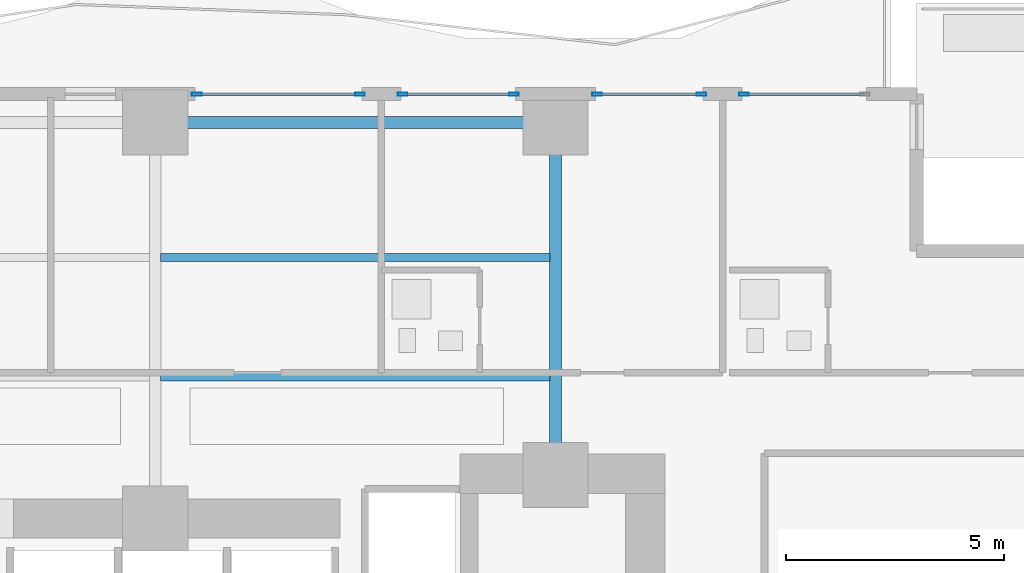
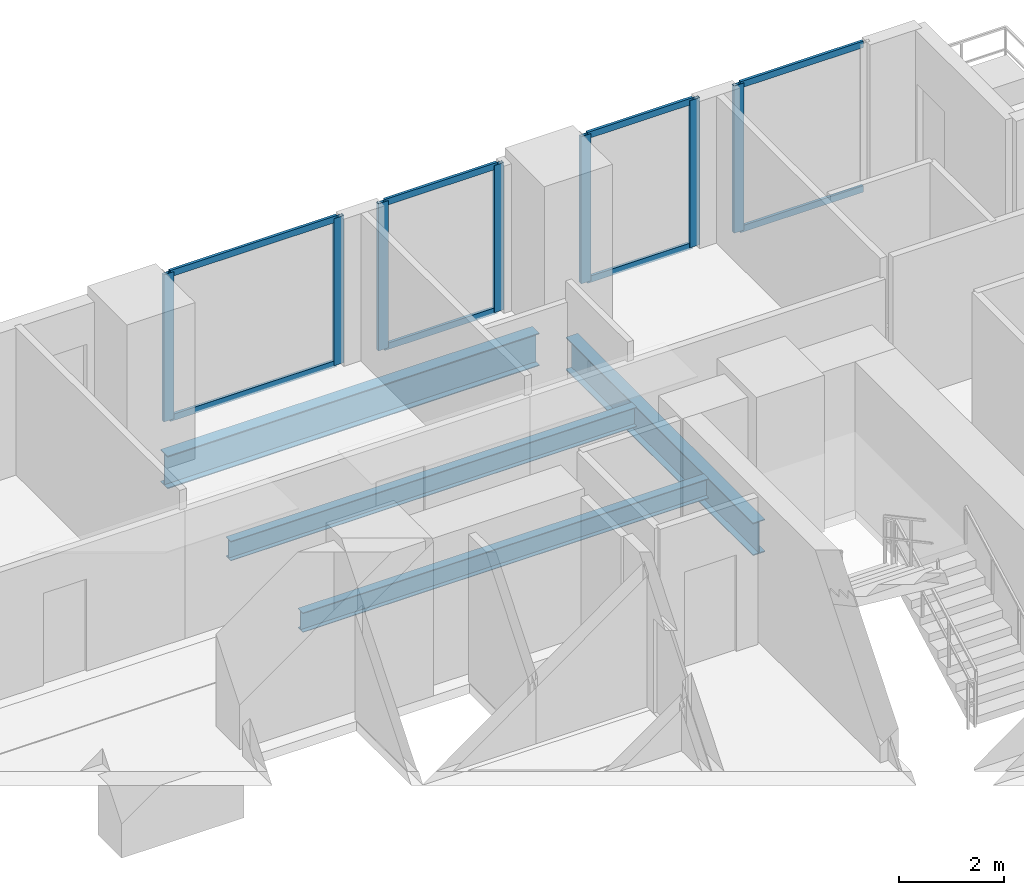
# One storey, part 16 of 28: 15 members, 4 beams, 4 elements without a shape of their own.
"""IFC4 building model written with IfcOpenShell, lengths in metres."""

from ifc_helpers import new_model, si_unit, direction, frame, origin, origin_2d, place, context, subcontext, project, spatial, hollow_rectangle, i_section, extrude, material, layer, layer_set, material_profile, profile_set, type_object, element, aggregate, save


model = new_model("IFC4")

# Units and contexts
model_context = context("Model", 3, precision=1e-05, world=origin(), true_north=direction((0.0, 1.0)))
body_context = subcontext(model_context, "Body", "Model", "MODEL_VIEW")
ifc_project = project(units=[si_unit("LENGTHUNIT", "METRE"), si_unit("AREAUNIT", "SQUARE_METRE"), si_unit("VOLUMEUNIT", "CUBIC_METRE"), si_unit("PLANEANGLEUNIT", "RADIAN"), si_unit("MASSUNIT", "GRAM", prefix="KILO")], contexts=[model_context])

# Site, building, storey
site_placement = place(None, origin())
site = spatial("IfcSite", under=ifc_project, at=site_placement, CompositionType="ELEMENT")
building_placement = place(site_placement, origin())
building = spatial("IfcBuilding", under=site, at=building_placement, Name="Zuhayl Quay Hotel", CompositionType="ELEMENT")
storey_placement = place(building_placement, frame((0.0, 0.0, 56.800048828125)))
storey = spatial("IfcBuildingStorey", under=building, at=storey_placement, Name="L13", CompositionType="ELEMENT", Elevation=56.800048828125)

# Beams
ifc_material_1 = material(Name="Steel ASTM A992 Grade 50", Category="steel")
ifc_material_profile_1 = material_profile(ifc_material_1, i_section(OverallWidth=0.26708984375, OverallDepth=0.761962890625, WebThickness=0.014404296875, FlangeThickness=0.021484375, at=origin_2d()), Name="W30X116")
ifc_profile_set_1 = profile_set([ifc_material_profile_1], Name="Steel ASTM A992 Grade 50")
beam_type_1 = type_object("IfcBeamType", Name="BM_B1_W30X116", PredefinedType="BEAM", material=ifc_profile_set_1)
beam_1_placement = place(storey_placement, frame((13.300048828125, 22.449951171875, -0.60107421875), z_axis=(-1.0, 0.0, 0.0), x_axis=(0.0, -1.0, 0.0)))
element("IfcBeam", 1, at=beam_1_placement, inside=storey, type_object=beam_type_1, Name="L13 Floor Beam RG_L13_07", PredefinedType="BEAM", context=body_context, shape_type="SweptSolid", body=[
    extrude(i_section(OverallWidth=0.26708984375, OverallDepth=0.761962890625, WebThickness=0.014404296875, FlangeThickness=0.021484375, at=origin_2d()), origin(), (0.0, 0.0, 1.0), 8.199951171875),
])
beam_2_placement = place(storey_placement, frame((13.800048828125, 14.800048828125, -0.60107421875), z_axis=(0.0, 1.0, 0.0), x_axis=(-1.0, 0.0, 0.0)))
element("IfcBeam", 2, at=beam_2_placement, inside=storey, type_object=beam_type_1, Name="L13 Floor Beam FG_N_L13_4", PredefinedType="BEAM", context=body_context, shape_type="SweptSolid", body=[
    extrude(i_section(OverallWidth=0.26708984375, OverallDepth=0.761962890625, WebThickness=0.014404296875, FlangeThickness=0.021484375, at=origin_2d()), origin(), (0.0, 0.0, 1.0), 7.14990234375),
])
ifc_material_profile_2 = material_profile(ifc_material_1, i_section(OverallWidth=0.18994140625, OverallDepth=0.45703125, WebThickness=0.009033203125, FlangeThickness=0.014404296875, at=origin_2d()), Name="W18X50")
ifc_profile_set_2 = profile_set([ifc_material_profile_2], Name="Steel ASTM A992 Grade 50")
beam_type_2 = type_object("IfcBeamType", Name="BM_J2_W18X50", PredefinedType="JOIST", material=ifc_profile_set_2)
for number, where, z_axis, x_axis, name in (
    (3, (4.7255859375, 16.60009765625, -0.448486328125), (1.0, 0.0, 0.0), (0.0, 1.0, 0.0), "L13 Floor Beam FJ_L13_1_3"),
    (4, (4.7255859375, 19.35009765625, -0.448486328125), (1.0, 0.0, 0.0), (0.0, 1.0, 0.0), "L13 Floor Beam FJ_L13_2_3"),
):
    element("IfcBeam", number, at=place(storey_placement, frame(where, z_axis=z_axis, x_axis=x_axis)), inside=storey, type_object=beam_type_2, Name=name, PredefinedType="JOIST", context=body_context, shape_type="SweptSolid", body=[
        extrude(i_section(OverallWidth=0.18994140625, OverallDepth=0.45703125, WebThickness=0.009033203125, FlangeThickness=0.014404296875, at=origin_2d()), origin(), (0.0, 0.0, 1.0), 8.948974609375),
    ])

# Curtain wall, members
ifc_material_2 = material(Name="Anodised Aluminium 6063-T6", Category="aluminium")
ifc_layer = layer(ifc_material_2, 0.18994140625, Name="Anodised Aluminium 6063-T6", Category="aluminium")
ifc_layer_set = layer_set([ifc_layer], Name="Anodised Aluminium 6063-T6")
curtain_wall_type = type_object("IfcCurtainWallType", Name="CW_SYS_Z1", PredefinedType="USERDEFINED", material=ifc_layer_set)
curtain_wall_1_placement = place(storey_placement, origin())
curtain_wall_1 = element("IfcCurtainWall", 5, at=curtain_wall_1_placement, inside=storey, type_object=curtain_wall_type, Name="L13 Curtain Wall ENV_L13_N_CW3", ObjectType="UNITISED CURTAIN WALL", PredefinedType="USERDEFINED")
ifc_material_3 = material(Name="Black-anodised aluminium 6063-T6", Category="aluminium")
ifc_material_profile_3 = material_profile(ifc_material_3, hollow_rectangle(XDim=0.074951171875, YDim=0.219970703125, WallThickness=0.00390625, at=origin_2d()), Name="ALU220X75")
ifc_profile_set_3 = profile_set([ifc_material_profile_3], Name="Black-anodised aluminium 6063-T6")
member_type_1 = type_object("IfcMemberType", Name="MB_CW_MUL_220", PredefinedType="MULLION", material=ifc_profile_set_3)
member_1_placement = place(storey_placement, frame((5.5576171875, 23.10009765625, 0.0), z_axis=(0.0, 0.0, 1.0), x_axis=(0.0, 1.0, 0.0)))
member_1 = element("IfcMember", 6, at=member_1_placement, type_object=member_type_1, Name="CW-Z1 mullion 1", PredefinedType="MULLION", context=body_context, shape_type="SweptSolid", body=[
    extrude(hollow_rectangle(XDim=0.074951171875, YDim=0.219970703125, WallThickness=0.00390625, at=origin_2d()), origin(), (0.0, 0.0, 1.0), 3.429931640625),
])
member_2_placement = place(storey_placement, frame((9.3125, 23.10009765625, 0.0), z_axis=(0.0, 0.0, 1.0), x_axis=(0.0, 1.0, 0.0)))
member_2 = element("IfcMember", 7, at=member_2_placement, type_object=member_type_1, Name="CW-Z1 mullion 2", PredefinedType="MULLION", context=body_context, shape_type="SweptSolid", body=[
    extrude(hollow_rectangle(XDim=0.074951171875, YDim=0.219970703125, WallThickness=0.00390625, at=origin_2d()), origin(), (0.0, 0.0, 1.0), 3.429931640625),
])

curtain_wall_2_placement = place(storey_placement, origin())
curtain_wall_2 = element("IfcCurtainWall", 8, at=curtain_wall_2_placement, inside=storey, type_object=curtain_wall_type, Name="L13 Curtain Wall ENV_L13_N_CW4", ObjectType="UNITISED CURTAIN WALL", PredefinedType="USERDEFINED")
member_3_placement = place(storey_placement, frame((10.28759765625, 23.10009765625, 0.0), z_axis=(0.0, 0.0, 1.0), x_axis=(0.0, 1.0, 0.0)))
member_3 = element("IfcMember", 9, at=member_3_placement, type_object=member_type_1, Name="CW-Z1 mullion 1", PredefinedType="MULLION", context=body_context, shape_type="SweptSolid", body=[
    extrude(hollow_rectangle(XDim=0.074951171875, YDim=0.219970703125, WallThickness=0.00390625, at=origin_2d()), origin(), (0.0, 0.0, 1.0), 3.429931640625),
])
member_4_placement = place(storey_placement, frame((12.842529296875, 23.10009765625, 0.0), z_axis=(0.0, 0.0, 1.0), x_axis=(0.0, 1.0, 0.0)))
member_4 = element("IfcMember", 10, at=member_4_placement, type_object=member_type_1, Name="CW-Z1 mullion 2", PredefinedType="MULLION", context=body_context, shape_type="SweptSolid", body=[
    extrude(hollow_rectangle(XDim=0.074951171875, YDim=0.219970703125, WallThickness=0.00390625, at=origin_2d()), origin(), (0.0, 0.0, 1.0), 3.429931640625),
])

curtain_wall_3_placement = place(storey_placement, origin())
curtain_wall_3 = element("IfcCurtainWall", 11, at=curtain_wall_3_placement, inside=storey, type_object=curtain_wall_type, Name="L13 Curtain Wall ENV_L13_N_CW5", ObjectType="UNITISED CURTAIN WALL", PredefinedType="USERDEFINED")
member_5_placement = place(storey_placement, frame((14.757568359375, 23.10009765625, 0.0), z_axis=(0.0, 0.0, 1.0), x_axis=(0.0, 1.0, 0.0)))
member_5 = element("IfcMember", 12, at=member_5_placement, type_object=member_type_1, Name="CW-Z1 mullion 1", PredefinedType="MULLION", context=body_context, shape_type="SweptSolid", body=[
    extrude(hollow_rectangle(XDim=0.074951171875, YDim=0.219970703125, WallThickness=0.00390625, at=origin_2d()), origin(), (0.0, 0.0, 1.0), 3.429931640625),
])
member_6_placement = place(storey_placement, frame((17.152587890625, 23.10009765625, 0.0), z_axis=(0.0, 0.0, 1.0), x_axis=(0.0, 1.0, 0.0)))
member_6 = element("IfcMember", 13, at=member_6_placement, type_object=member_type_1, Name="CW-Z1 mullion 2", PredefinedType="MULLION", context=body_context, shape_type="SweptSolid", body=[
    extrude(hollow_rectangle(XDim=0.074951171875, YDim=0.219970703125, WallThickness=0.00390625, at=origin_2d()), origin(), (0.0, 0.0, 1.0), 3.429931640625),
])

# Curtain wall, member
curtain_wall_4_placement = place(storey_placement, origin())
curtain_wall_4 = element("IfcCurtainWall", 14, at=curtain_wall_4_placement, inside=storey, type_object=curtain_wall_type, Name="L13 Curtain Wall ENV_L13_N_CW6", ObjectType="UNITISED CURTAIN WALL", PredefinedType="USERDEFINED")
member_7_placement = place(storey_placement, frame((18.12744140625, 23.10009765625, 0.0), z_axis=(0.0, 0.0, 1.0), x_axis=(0.0, 1.0, 0.0)))
member_7 = element("IfcMember", 15, at=member_7_placement, type_object=member_type_1, Name="CW-Z1 mullion 1", PredefinedType="MULLION", context=body_context, shape_type="SweptSolid", body=[
    extrude(hollow_rectangle(XDim=0.074951171875, YDim=0.219970703125, WallThickness=0.00390625, at=origin_2d()), origin(), (0.0, 0.0, 1.0), 3.429931640625),
])

# Member
ifc_material_profile_4 = material_profile(ifc_material_3, hollow_rectangle(XDim=0.06005859375, YDim=0.14990234375, WallThickness=0.00341796875, at=origin_2d()), Name="ALU150X60")
ifc_profile_set_4 = profile_set([ifc_material_profile_4], Name="Black-anodised aluminium 6063-T6")
member_type_2 = type_object("IfcMemberType", Name="MB_CW_TRN_150", PredefinedType="USERDEFINED", material=ifc_profile_set_4)
member_8_placement = place(storey_placement, frame((5.594970703125, 23.10009765625, 0.030029296875), z_axis=(1.0, 0.0, 0.0), x_axis=(0.0, 1.0, 0.0)))
member_8 = element("IfcMember", 16, at=member_8_placement, type_object=member_type_2, Name="CW-Z1 transom 1.1", ObjectType="TRANSOM", PredefinedType="USERDEFINED", context=body_context, shape_type="SweptSolid", body=[
    extrude(hollow_rectangle(XDim=0.06005859375, YDim=0.14990234375, WallThickness=0.00341796875, at=origin_2d()), origin(), (0.0, 0.0, 1.0), 3.679931640625),
])

member_9_placement = place(storey_placement, frame((5.594970703125, 23.10009765625, 3.39990234375), z_axis=(1.0, 0.0, 0.0), x_axis=(0.0, 1.0, 0.0)))
member_9 = element("IfcMember", 17, at=member_9_placement, type_object=member_type_2, Name="CW-Z1 transom 1.2", ObjectType="TRANSOM", PredefinedType="USERDEFINED", context=body_context, shape_type="SweptSolid", body=[
    extrude(hollow_rectangle(XDim=0.06005859375, YDim=0.14990234375, WallThickness=0.00341796875, at=origin_2d()), origin(), (0.0, 0.0, 1.0), 3.679931640625),
])

aggregate(curtain_wall_1, [member_1, member_2, member_8, member_9])

member_10_placement = place(storey_placement, frame((10.324951171875, 23.10009765625, 0.030029296875), z_axis=(1.0, 0.0, 0.0), x_axis=(0.0, 1.0, 0.0)))
member_10 = element("IfcMember", 18, at=member_10_placement, type_object=member_type_2, Name="CW-Z1 transom 1.1", ObjectType="TRANSOM", PredefinedType="USERDEFINED", context=body_context, shape_type="SweptSolid", body=[
    extrude(hollow_rectangle(XDim=0.06005859375, YDim=0.14990234375, WallThickness=0.00341796875, at=origin_2d()), origin(), (0.0, 0.0, 1.0), 2.47998046875),
])

member_11_placement = place(storey_placement, frame((10.324951171875, 23.10009765625, 3.39990234375), z_axis=(1.0, 0.0, 0.0), x_axis=(0.0, 1.0, 0.0)))
member_11 = element("IfcMember", 19, at=member_11_placement, type_object=member_type_2, Name="CW-Z1 transom 1.2", ObjectType="TRANSOM", PredefinedType="USERDEFINED", context=body_context, shape_type="SweptSolid", body=[
    extrude(hollow_rectangle(XDim=0.06005859375, YDim=0.14990234375, WallThickness=0.00341796875, at=origin_2d()), origin(), (0.0, 0.0, 1.0), 2.47998046875),
])

aggregate(curtain_wall_2, [member_3, member_4, member_10, member_11])

member_12_placement = place(storey_placement, frame((14.794921875, 23.10009765625, 0.030029296875), z_axis=(1.0, 0.0, 0.0), x_axis=(0.0, 1.0, 0.0)))
member_12 = element("IfcMember", 20, at=member_12_placement, type_object=member_type_2, Name="CW-Z1 transom 1.1", ObjectType="TRANSOM", PredefinedType="USERDEFINED", context=body_context, shape_type="SweptSolid", body=[
    extrude(hollow_rectangle(XDim=0.06005859375, YDim=0.14990234375, WallThickness=0.00341796875, at=origin_2d()), origin(), (0.0, 0.0, 1.0), 2.320068359375),
])

member_13_placement = place(storey_placement, frame((14.794921875, 23.10009765625, 3.39990234375), z_axis=(1.0, 0.0, 0.0), x_axis=(0.0, 1.0, 0.0)))
member_13 = element("IfcMember", 21, at=member_13_placement, type_object=member_type_2, Name="CW-Z1 transom 1.2", ObjectType="TRANSOM", PredefinedType="USERDEFINED", context=body_context, shape_type="SweptSolid", body=[
    extrude(hollow_rectangle(XDim=0.06005859375, YDim=0.14990234375, WallThickness=0.00341796875, at=origin_2d()), origin(), (0.0, 0.0, 1.0), 2.320068359375),
])

aggregate(curtain_wall_3, [member_5, member_6, member_12, member_13])

member_14_placement = place(storey_placement, frame((18.1650390625, 23.10009765625, 0.030029296875), z_axis=(1.0, 0.0, 0.0), x_axis=(0.0, 1.0, 0.0)))
member_14 = element("IfcMember", 22, at=member_14_placement, type_object=member_type_2, Name="CW-Z1 transom 1.1", ObjectType="TRANSOM", PredefinedType="USERDEFINED", context=body_context, shape_type="SweptSolid", body=[
    extrude(hollow_rectangle(XDim=0.06005859375, YDim=0.14990234375, WallThickness=0.00341796875, at=origin_2d()), origin(), (0.0, 0.0, 1.0), 2.7099609375),
])

member_15_placement = place(storey_placement, frame((18.1650390625, 23.10009765625, 3.39990234375), z_axis=(1.0, 0.0, 0.0), x_axis=(0.0, 1.0, 0.0)))
member_15 = element("IfcMember", 23, at=member_15_placement, type_object=member_type_2, Name="CW-Z1 transom 1.2", ObjectType="TRANSOM", PredefinedType="USERDEFINED", context=body_context, shape_type="SweptSolid", body=[
    extrude(hollow_rectangle(XDim=0.06005859375, YDim=0.14990234375, WallThickness=0.00341796875, at=origin_2d()), origin(), (0.0, 0.0, 1.0), 2.7099609375),
])

aggregate(curtain_wall_4, [member_7, member_14, member_15])

save(model, "model.ifc")
